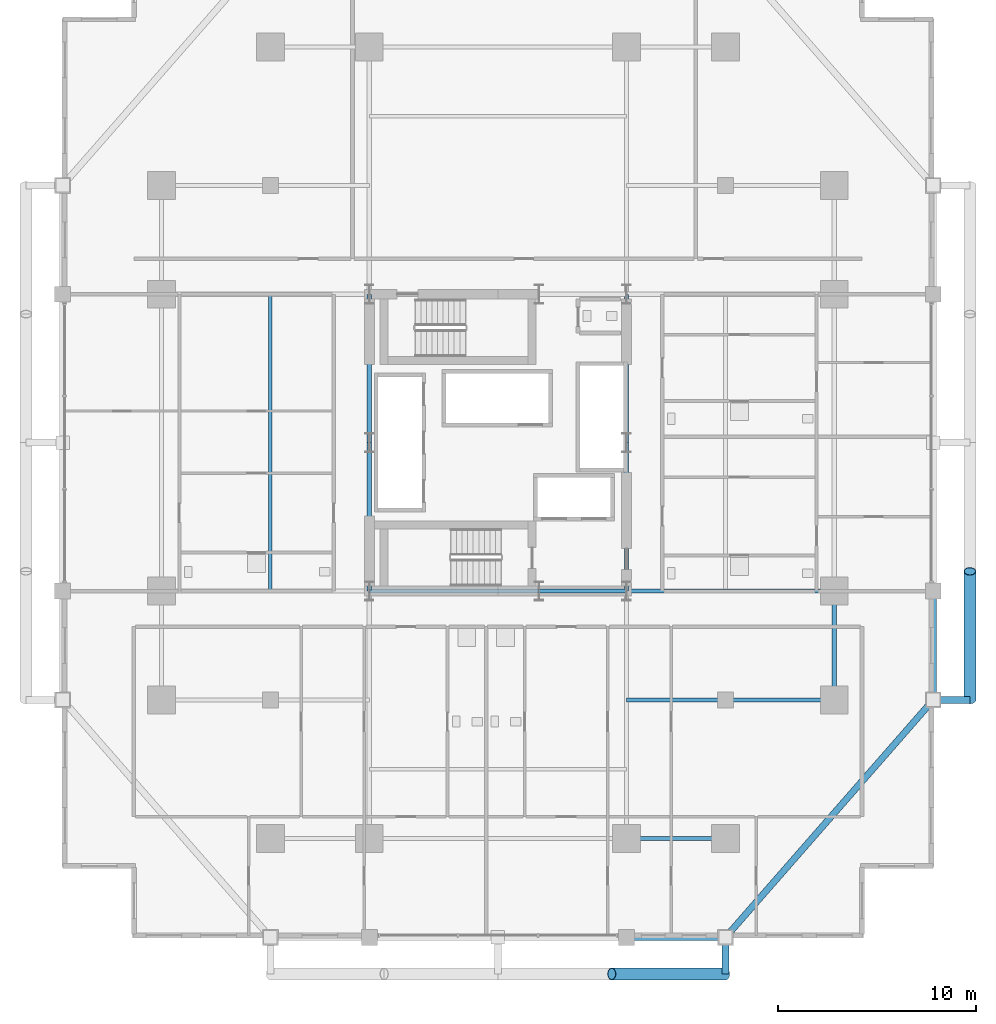
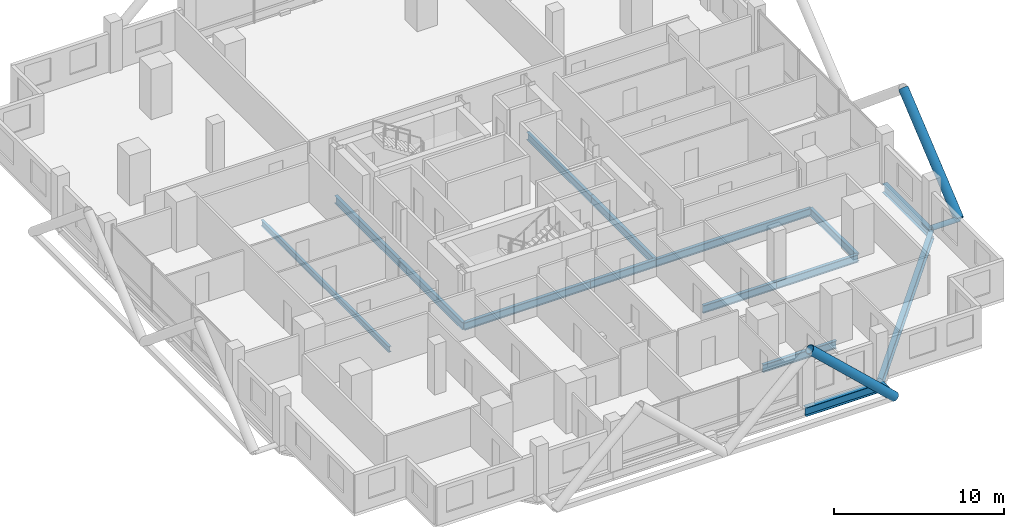
# One storey, part 9 of 27: 15 beams, 4 members.
"""IFC4 building model written with IfcOpenShell, lengths in metres."""

from ifc_helpers import new_model, si_unit, direction, frame, origin, origin_2d, place, context, subcontext, project, spatial, hollow_circle, i_section, extrude, material, material_profile, profile_set, type_object, element, save


model = new_model("IFC4")

# Units and contexts
model_context = context("Model", 3, precision=1e-05, world=origin(), true_north=direction((0.0, 1.0)))
body_context = subcontext(model_context, "Body", "Model", "MODEL_VIEW")
ifc_project = project(units=[si_unit("LENGTHUNIT", "METRE"), si_unit("AREAUNIT", "SQUARE_METRE"), si_unit("VOLUMEUNIT", "CUBIC_METRE"), si_unit("PLANEANGLEUNIT", "RADIAN"), si_unit("MASSUNIT", "GRAM", prefix="KILO")], contexts=[model_context])

# Site, building, storey
site_placement = place(None, origin())
site = spatial("IfcSite", under=ifc_project, at=site_placement, CompositionType="ELEMENT")
building_placement = place(site_placement, origin())
building = spatial("IfcBuilding", under=site, at=building_placement, Name="Barlavira Tower and Art Museum", CompositionType="ELEMENT")
storey_placement = place(building_placement, frame((0.0, 0.0, 72.0)))
storey = spatial("IfcBuildingStorey", under=building, at=storey_placement, Name="L17", CompositionType="ELEMENT", Elevation=72.0)

# Members
ifc_material = material(Name="Steel S355", Category="steel")
ifc_material_profile_1 = material_profile(ifc_material, hollow_circle(Radius=0.304931640625, WallThickness=0.028076171875, at=origin_2d()), Name="CHS 610.0x28.0")
ifc_profile_set_1 = profile_set([ifc_material_profile_1], Name="Steel S355")
member_type_1 = type_object("IfcMemberType", Name="Pale-Metal Exoskeleton Diagrid Tube CHS 610x28 Steel S355", PredefinedType="BRACE", material=ifc_profile_set_1)
member_1_placement = place(storey_placement, frame((11.5, -26.85009765625, -0.1201171875), z_axis=(-0.728934650808, 0.0, 0.684583285548), x_axis=(0.0, -1.0, 0.0)))
element("IfcMember", 1, at=member_1_placement, inside=storey, type_object=member_type_1, Name="L17 Exoskeleton Diagrid Tube S", PredefinedType="BRACE", context=body_context, shape_type="SweptSolid", body=[
    extrude(hollow_circle(Radius=0.304931640625, WallThickness=0.028076171875, at=origin_2d()), origin(), (0.0, 0.0, 1.0), 7.88818359375),
])
member_2_placement = place(storey_placement, frame((23.85009765625, -13.0, -0.1201171875), z_axis=(0.0, 0.76918185268, 0.639029950399), x_axis=(-1.0, 0.0, 0.0)))
element("IfcMember", 2, at=member_2_placement, inside=storey, type_object=member_type_1, Name="L17 Exoskeleton Diagrid Tube E", PredefinedType="BRACE", context=body_context, shape_type="SweptSolid", body=[
    extrude(hollow_circle(Radius=0.304931640625, WallThickness=0.028076171875, at=origin_2d()), origin(), (0.0, 0.0, 1.0), 8.450439453125),
])
ifc_material_profile_2 = material_profile(ifc_material, hollow_circle(Radius=0.177734375, WallThickness=0.01611328125, at=origin_2d()), Name="CHS 355.6x16.0")
ifc_profile_set_2 = profile_set([ifc_material_profile_2], Name="Steel S355")
member_type_2 = type_object("IfcMemberType", Name="Pale-Metal Exoskeleton Tie Strut CHS 356x16 Steel S355", PredefinedType="STRUT", material=ifc_profile_set_2)
for number, where, z_axis, x_axis, name in (
    (3, (11.5, -26.85009765625, -0.1201171875), (0.0, 1.0, 0.0), (-1.0, 0.0, 0.0), "L17 Exoskeleton Tie Strut S3"),
    (4, (23.85009765625, -13.0, -0.1201171875), (-1.0, 0.0, 0.0), (0.0, -1.0, 0.0), "L17 Exoskeleton Tie Strut E1"),
):
    element("IfcMember", number, at=place(storey_placement, frame(where, z_axis=z_axis, x_axis=x_axis)), inside=storey, type_object=member_type_2, Name=name, PredefinedType="STRUT", context=body_context, shape_type="SweptSolid", body=[
        extrude(hollow_circle(Radius=0.177734375, WallThickness=0.01611328125, at=origin_2d()), origin(), (0.0, 0.0, 1.0), 1.85009765625),
    ])

# Beams
ifc_material_profile_3 = material_profile(ifc_material, i_section(OverallWidth=0.327880859375, OverallDepth=0.62890625, WebThickness=0.013916015625, FlangeThickness=0.021484375, at=origin_2d()), Name="W610x174.0")
ifc_profile_set_3 = profile_set([ifc_material_profile_3], Name="Steel S355")
beam_type_1 = type_object("IfcBeamType", Name="Perimeter Spandrel Edge Beam W610x174 Steel S355", PredefinedType="SPANDREL", material=ifc_profile_set_3)
beam_1_placement = place(storey_placement, frame((6.5, -25.0, -0.534423828125), z_axis=(1.0, 0.0, 0.0), x_axis=(0.0, 1.0, 0.0)))
element("IfcBeam", 5, at=beam_1_placement, inside=storey, type_object=beam_type_1, Name="L17 Spandrel 3", PredefinedType="SPANDREL", context=body_context, shape_type="SweptSolid", body=[
    extrude(i_section(OverallWidth=0.327880859375, OverallDepth=0.62890625, WebThickness=0.013916015625, FlangeThickness=0.021484375, at=origin_2d()), origin(), (0.0, 0.0, 1.0), 5.0),
])
beam_2_placement = place(storey_placement, frame((11.5, -25.0, -0.534423828125), z_axis=(0.658504607869, 0.752576694707, 0.0), x_axis=(-0.752576694707, 0.658504607869, 0.0)))
element("IfcBeam", 6, at=beam_2_placement, inside=storey, type_object=beam_type_1, Name="L17 Spandrel 4", PredefinedType="SPANDREL", context=body_context, shape_type="SweptSolid", body=[
    extrude(i_section(OverallWidth=0.327880859375, OverallDepth=0.62890625, WebThickness=0.013916015625, FlangeThickness=0.021484375, at=origin_2d()), origin(), (0.0, 0.0, 1.0), 15.9453125),
])
beam_3_placement = place(storey_placement, frame((22.0, -13.0, -0.534423828125), z_axis=(0.0, 1.0, 0.0), x_axis=(-1.0, 0.0, 0.0)))
element("IfcBeam", 7, at=beam_3_placement, inside=storey, type_object=beam_type_1, Name="L17 Spandrel 5", PredefinedType="SPANDREL", context=body_context, shape_type="SweptSolid", body=[
    extrude(i_section(OverallWidth=0.327880859375, OverallDepth=0.62890625, WebThickness=0.013916015625, FlangeThickness=0.021484375, at=origin_2d()), origin(), (0.0, 0.0, 1.0), 5.5),
])
ifc_material_profile_4 = material_profile(ifc_material, i_section(OverallWidth=0.180908203125, OverallDepth=0.4169921875, WebThickness=0.010986328125, FlangeThickness=0.018310546875, at=origin_2d()), Name="W410x85.0")
ifc_profile_set_4 = profile_set([ifc_material_profile_4], Name="Steel S355")
beam_type_2 = type_object("IfcBeamType", Name="Zone 1 Composite Floor Joist W410x85 Steel S355", PredefinedType="JOIST", material=ifc_profile_set_4)
beam_4_placement = place(storey_placement, frame((-11.5, -7.5, -0.428466796875), z_axis=(0.0, 1.0, 0.0), x_axis=(-1.0, 0.0, 0.0)))
element("IfcBeam", 8, at=beam_4_placement, inside=storey, type_object=beam_type_2, Name="L17 Joist W1", PredefinedType="JOIST", context=body_context, shape_type="SweptSolid", body=[
    extrude(i_section(OverallWidth=0.180908203125, OverallDepth=0.4169921875, WebThickness=0.010986328125, FlangeThickness=0.018310546875, at=origin_2d()), origin(), (0.0, 0.0, 1.0), 15.0),
])
ifc_material_profile_5 = material_profile(ifc_material, i_section(OverallWidth=0.214111328125, OverallDepth=0.549072265625, WebThickness=0.0146484375, FlangeThickness=0.023681640625, at=origin_2d()), Name="W530x138.0")
ifc_profile_set_5 = profile_set([ifc_material_profile_5], Name="Steel S355")
beam_type_3 = type_object("IfcBeamType", Name="Zone 1 Primary Floor Girder W530x138 Steel S355", PredefinedType="BEAM", material=ifc_profile_set_5)
beam_5_placement = place(storey_placement, frame((-6.5, -7.5, -0.494384765625), z_axis=(1.0, 0.0, 0.0), x_axis=(0.0, 1.0, 0.0)))
element("IfcBeam", 9, at=beam_5_placement, inside=storey, type_object=beam_type_3, Name="L17 Girder C-S1", PredefinedType="BEAM", context=body_context, shape_type="SweptSolid", body=[
    extrude(i_section(OverallWidth=0.214111328125, OverallDepth=0.549072265625, WebThickness=0.0146484375, FlangeThickness=0.023681640625, at=origin_2d()), origin(), (0.0, 0.0, 1.0), 8.580078125),
])
beam_6_placement = place(storey_placement, frame((2.080078125, -7.5, -0.494384765625), z_axis=(1.0, 0.0, 0.0), x_axis=(0.0, 1.0, 0.0)))
element("IfcBeam", 10, at=beam_6_placement, inside=storey, type_object=beam_type_3, Name="L17 Girder C-S2", PredefinedType="BEAM", context=body_context, shape_type="SweptSolid", body=[
    extrude(i_section(OverallWidth=0.214111328125, OverallDepth=0.549072265625, WebThickness=0.0146484375, FlangeThickness=0.023681640625, at=origin_2d()), origin(), (0.0, 0.0, 1.0), 4.419921875),
])
for number, where, z_axis, x_axis, name in (
    (11, (-6.5, -7.5, -0.494384765625), (0.0, 1.0, 0.0), (-1.0, 0.0, 0.0), "L17 Girder C-W1"),
    (12, (-6.5, 0.0, -0.494384765625), (0.0, 1.0, 0.0), (-1.0, 0.0, 0.0), "L17 Girder C-W2"),
    (13, (6.5, -7.5, -0.494384765625), (0.0, 1.0, 0.0), (-1.0, 0.0, 0.0), "L17 Girder C-E1"),
    (14, (6.5, 0.0, -0.494384765625), (0.0, 1.0, 0.0), (-1.0, 0.0, 0.0), "L17 Girder C-E2"),
):
    element("IfcBeam", number, at=place(storey_placement, frame(where, z_axis=z_axis, x_axis=x_axis)), inside=storey, type_object=beam_type_3, Name=name, PredefinedType="BEAM", context=body_context, shape_type="SweptSolid", body=[
        extrude(i_section(OverallWidth=0.214111328125, OverallDepth=0.549072265625, WebThickness=0.0146484375, FlangeThickness=0.023681640625, at=origin_2d()), origin(), (0.0, 0.0, 1.0), 7.5),
    ])
beam_7_placement = place(storey_placement, frame((6.5, -20.0, -0.494384765625), z_axis=(1.0, 0.0, 0.0), x_axis=(0.0, 1.0, 0.0)))
element("IfcBeam", 15, at=beam_7_placement, inside=storey, type_object=beam_type_3, Name="L17 Girder M-S3", PredefinedType="BEAM", context=body_context, shape_type="SweptSolid", body=[
    extrude(i_section(OverallWidth=0.214111328125, OverallDepth=0.549072265625, WebThickness=0.0146484375, FlangeThickness=0.023681640625, at=origin_2d()), origin(), (0.0, 0.0, 1.0), 5.0),
])
beam_8_placement = place(storey_placement, frame((17.0, -13.0, -0.494384765625), z_axis=(0.0, 1.0, 0.0), x_axis=(-1.0, 0.0, 0.0)))
element("IfcBeam", 16, at=beam_8_placement, inside=storey, type_object=beam_type_3, Name="L17 Girder M-E1", PredefinedType="BEAM", context=body_context, shape_type="SweptSolid", body=[
    extrude(i_section(OverallWidth=0.214111328125, OverallDepth=0.549072265625, WebThickness=0.0146484375, FlangeThickness=0.023681640625, at=origin_2d()), origin(), (0.0, 0.0, 1.0), 5.5),
])
beam_9_placement = place(storey_placement, frame((6.5, -7.5, -0.494384765625), z_axis=(1.0, 0.0, 0.0), x_axis=(0.0, 1.0, 0.0)))
element("IfcBeam", 17, at=beam_9_placement, inside=storey, type_object=beam_type_3, Name="L17 Girder R-E1", PredefinedType="BEAM", context=body_context, shape_type="SweptSolid", body=[
    extrude(i_section(OverallWidth=0.214111328125, OverallDepth=0.549072265625, WebThickness=0.0146484375, FlangeThickness=0.023681640625, at=origin_2d()), origin(), (0.0, 0.0, 1.0), 10.5),
])
beam_10_placement = place(storey_placement, frame((6.5, -13.0, -0.494384765625), z_axis=(1.0, 0.0, 0.0), x_axis=(0.0, 1.0, 0.0)))
element("IfcBeam", 18, at=beam_10_placement, inside=storey, type_object=beam_type_3, Name="L17 Girder I-S3", PredefinedType="BEAM", context=body_context, shape_type="SweptSolid", body=[
    extrude(i_section(OverallWidth=0.214111328125, OverallDepth=0.549072265625, WebThickness=0.0146484375, FlangeThickness=0.023681640625, at=origin_2d()), origin(), (0.0, 0.0, 1.0), 5.0),
])
beam_11_placement = place(storey_placement, frame((11.5, -13.0, -0.494384765625), z_axis=(1.0, 0.0, 0.0), x_axis=(0.0, 1.0, 0.0)))
element("IfcBeam", 19, at=beam_11_placement, inside=storey, type_object=beam_type_3, Name="L17 Girder I-S4", PredefinedType="BEAM", context=body_context, shape_type="SweptSolid", body=[
    extrude(i_section(OverallWidth=0.214111328125, OverallDepth=0.549072265625, WebThickness=0.0146484375, FlangeThickness=0.023681640625, at=origin_2d()), origin(), (0.0, 0.0, 1.0), 5.5),
])

save(model, "model.ifc")
